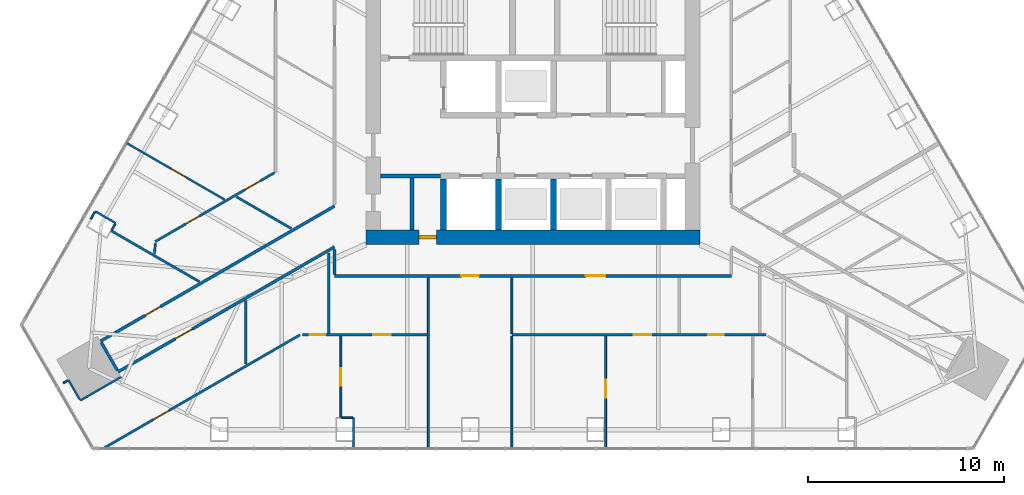
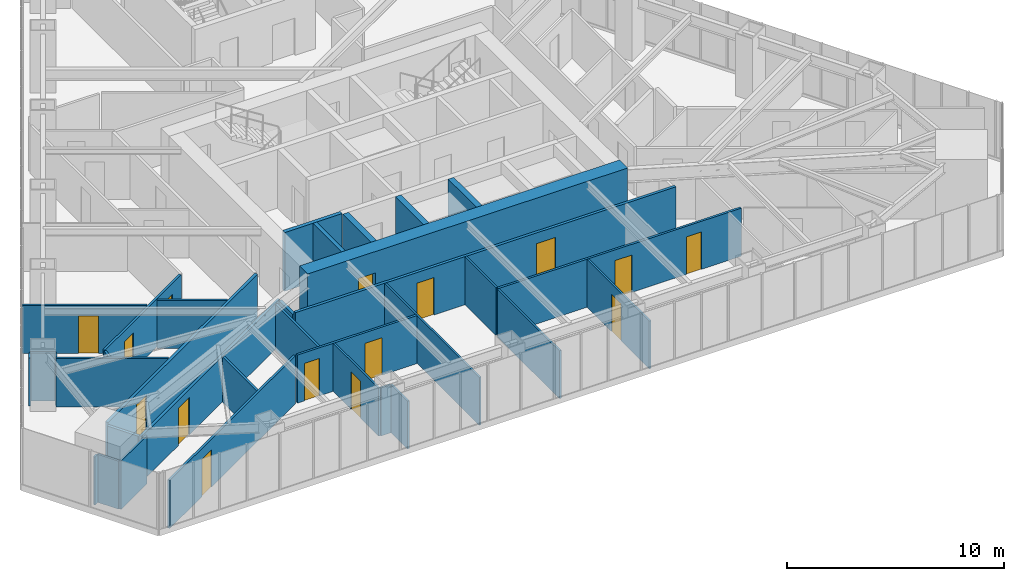
# One storey, part 16 of 21: 34 walls, 15 doors, 15 openings.
"""IFC4 building model written with IfcOpenShell, lengths in metres."""

import ifcopenshell
import ifcopenshell.guid

model = None  # the IFC model being written
_history = None  # IfcOwnerHistory: only IFC2X3 demands one
_inside = {}  # id of a spatial element -> (the spatial element, [elements in it])
_under = {}  # id of a project, library or spatial element -> (it, [spatial elements below it])
_declared = {}  # id of a project -> (the project, [libraries it declares])
_typed = {}  # id of a type object -> (the type object, [elements of that type])
_made_of = {}  # id of a material, layer set ... -> (it, [elements and type objects made of it])


def new_model(schema):
    """Start an empty IFC model of exactly this schema.

    Asked for "IFC4X3", IfcOpenShell would pick the latest addendum, in which some entities
    have other attributes; the version numbers below select the first issue.
    IFC2X3 requires an IfcOwnerHistory on every rooted entity: one is made here for all.
    """
    global model, _history
    if schema == "IFC4X3":
        model = ifcopenshell.file(schema_version=(4, 3, 0, 0))
    else:
        model = ifcopenshell.file(schema=schema)
    _inside.clear()
    _under.clear()
    _declared.clear()
    _typed.clear()
    _made_of.clear()
    _history = None
    if model.schema == "IFC2X3":
        org = make("IfcOrganization", Name="unknown")
        user = make(
            "IfcPersonAndOrganization",
            ThePerson=make("IfcPerson", FamilyName="unknown"),
            TheOrganization=org,
        )
        app = make(
            "IfcApplication",
            ApplicationDeveloper=org,
            Version="unknown",
            ApplicationFullName="unknown",
            ApplicationIdentifier="unknown",
        )
        _history = make(
            "IfcOwnerHistory",
            OwningUser=user,
            OwningApplication=app,
            ChangeAction="ADDED",
            CreationDate=0,
        )
    return model


def make(cls, **values):
    """One entity of the class cls with the attributes given. An attribute that is None is left unset."""
    return model.create_entity(
        cls, **{name: value for name, value in values.items() if value is not None}
    )


def rooted(cls, **values):
    """An entity with a GlobalId (a new one), such as an element, a storey or a relation."""
    return make(cls, GlobalId=ifcopenshell.guid.new(), OwnerHistory=_history, **values)


def si_unit(unit_type, name, prefix=None):
    """IfcSIUnit, for example si_unit("LENGTHUNIT", "METRE", prefix="MILLI")."""
    return make("IfcSIUnit", UnitType=unit_type, Prefix=prefix, Name=name)


def assignment(units):
    """IfcUnitAssignment: the units of a project."""
    return None if units is None else make("IfcUnitAssignment", Units=units)


def point(xyz):
    """IfcCartesianPoint."""
    return None if xyz is None else make("IfcCartesianPoint", Coordinates=xyz)


def direction(xyz):
    """IfcDirection."""
    return None if xyz is None else make("IfcDirection", DirectionRatios=xyz)


def frame(location, z_axis=None, x_axis=None):
    """IfcAxis2Placement3D, a coordinate frame: its origin and axes. An axis left out is left unset."""
    return make(
        "IfcAxis2Placement3D",
        Location=point(location),
        Axis=direction(z_axis),
        RefDirection=direction(x_axis),
    )


def frame_2d(location, x_axis=None):
    """IfcAxis2Placement2D, a coordinate frame in the plane: its origin and x axis."""
    return make(
        "IfcAxis2Placement2D", Location=point(location), RefDirection=direction(x_axis)
    )


def origin():
    """The frame at (0, 0, 0) with its axes left unset."""
    return frame((0.0, 0.0, 0.0))


def place(relative_to, where):
    """IfcLocalPlacement: puts the frame where relative to a parent placement (None: the world)."""
    return make(
        "IfcLocalPlacement", PlacementRelTo=relative_to, RelativePlacement=where
    )


def context(
    kind, dimensions, precision=None, world=None, true_north=None, identifier=None
):
    """IfcGeometricRepresentationContext, for example the 3D "Model" context."""
    return make(
        "IfcGeometricRepresentationContext",
        ContextIdentifier=identifier,
        ContextType=kind,
        CoordinateSpaceDimension=dimensions,
        Precision=precision,
        WorldCoordinateSystem=world,
        TrueNorth=true_north,
    )


def subcontext(parent, identifier, kind, view, scale=None):
    """IfcGeometricRepresentationSubContext, for example "Body" below "Model"."""
    return make(
        "IfcGeometricRepresentationSubContext",
        ContextIdentifier=identifier,
        ContextType=kind,
        ParentContext=parent,
        TargetScale=scale,
        TargetView=view,
    )


def project(units=None, contexts=None):
    """IfcProject with its units and contexts."""
    return rooted(
        "IfcProject",
        Name="project",
        RepresentationContexts=contexts,
        UnitsInContext=assignment(units),
    )


def spatial(cls, under=None, at=None, **own):
    """A site, building, storey or space (cls), placed at a placement, below another one or the project."""
    s = rooted(cls, ObjectPlacement=at, **own)
    if under is not None:
        _under.setdefault(under.id(), (under, []))[1].append(s)
    return s


def profile(cls, at=None, kind="AREA", **sizes):
    """A parametric profile (cls). Its sizes go by their IFC names, for example OverallWidth=200.0."""
    return make(cls, ProfileType=kind, Position=at, **sizes)


def rectangle(**sizes):
    """IfcRectangleProfileDef."""
    return profile("IfcRectangleProfileDef", **sizes)


def extrude(swept, where, along, depth):
    """IfcExtrudedAreaSolid: the profile swept, set in the frame where, extruded along a direction by depth."""
    return make(
        "IfcExtrudedAreaSolid",
        SweptArea=swept,
        Position=where,
        ExtrudedDirection=direction(along),
        Depth=depth,
    )


def shape(context_of_items, identifier, shape_type, items):
    """IfcShapeRepresentation: the items that make up one representation, for example the "Body"."""
    return make(
        "IfcShapeRepresentation",
        ContextOfItems=context_of_items,
        RepresentationIdentifier=identifier,
        RepresentationType=shape_type,
        Items=items,
    )


def material(Name=None, Category=None):
    """IfcMaterial."""
    return make("IfcMaterial", Name=Name, Category=Category)


def layer(
    of_material, thickness, ventilated=None, Name=None, Category=None, Priority=None
):
    """IfcMaterialLayer: one layer of a wall or slab, of a material (None: an air gap)."""
    return make(
        "IfcMaterialLayer",
        Material=of_material,
        LayerThickness=thickness,
        IsVentilated=ventilated,
        Name=Name,
        Category=Category,
        Priority=Priority,
    )


def layer_set(layers, Name=None):
    """IfcMaterialLayerSet."""
    return make("IfcMaterialLayerSet", MaterialLayers=layers, LayerSetName=Name)


def made_of(thing, what):
    """Note that an element or type object is made of a material, layer set ...; save() writes the relation."""
    if what is not None:
        _made_of.setdefault(what.id(), (what, []))[1].append(thing)
    return thing


def type_object(cls, material=None, **own):
    """A type object (cls), such as IfcWallType, which elements share."""
    return made_of(rooted(cls, **own), material)


def element(
    cls,
    number,
    at=None,
    inside=None,
    cuts=None,
    type_object=None,
    material=None,
    context=None,
    identifier="Body",
    shape_type=None,
    held_by="IfcProductDefinitionShape",
    body=None,
    shapes=None,
    **own,
):
    """One element of the class cls, such as IfcWall. Its Tag is "e" and its number.

    at: its placement. inside: the storey or other place that contains it. cuts: it is an
    opening in that element (IfcRelVoidsElement). A single representation is given by context,
    identifier, shape_type and body (its items); several are given by shapes. held_by: the class
    of the entity that holds the representations. save() writes the other relations.
    """
    e = rooted(cls, Tag="e%d" % number, ObjectPlacement=at, **own)
    if body is not None:
        shapes = [shape(context, identifier, shape_type, body)]
    if shapes is not None:
        e.Representation = make(held_by, Representations=shapes)
    if inside is not None:
        _inside.setdefault(inside.id(), (inside, []))[1].append(e)
    if cuts is not None:
        rooted(
            "IfcRelVoidsElement", RelatingBuildingElement=cuts, RelatedOpeningElement=e
        )
    if type_object is not None:
        _typed.setdefault(type_object.id(), (type_object, []))[1].append(e)
    return made_of(e, material)


def fill(opening, filler):
    """IfcRelFillsElement: the door or window that sits in an opening."""
    return rooted(
        "IfcRelFillsElement",
        RelatingOpeningElement=opening,
        RelatedBuildingElement=filler,
    )


def aggregate(whole, parts):
    """IfcRelAggregates: a whole, such as a stair, and the parts it consists of."""
    return rooted("IfcRelAggregates", RelatingObject=whole, RelatedObjects=parts)


def save(model, path):
    """Write the relations noted so far, then the file.

    IfcRelAggregates (storeys below a building ...), IfcRelContainedInSpatialStructure (elements
    in a storey), IfcRelDefinesByType, IfcRelAssociatesMaterial and IfcRelDeclares: one each for
    every whole, place, type object, material and project.
    """
    for whole, parts in _under.values():
        aggregate(whole, parts)
    for where, things in _inside.values():
        rooted(
            "IfcRelContainedInSpatialStructure",
            RelatedElements=things,
            RelatingStructure=where,
        )
    for kind, things in _typed.values():
        rooted("IfcRelDefinesByType", RelatedObjects=things, RelatingType=kind)
    for what, things in _made_of.values():
        rooted("IfcRelAssociatesMaterial", RelatedObjects=things, RelatingMaterial=what)
    for by, libraries in _declared.values():
        rooted("IfcRelDeclares", RelatingContext=by, RelatedDefinitions=libraries)
    model.write(path)


model = new_model("IFC4")

# Units and contexts
model_context = context("Model", 3, precision=1e-05, world=origin(), true_north=direction((0.0, 1.0)))
body_context = subcontext(model_context, "Body", "Model", "MODEL_VIEW")
ifc_project = project(units=[si_unit("LENGTHUNIT", "METRE"), si_unit("AREAUNIT", "SQUARE_METRE"), si_unit("VOLUMEUNIT", "CUBIC_METRE"), si_unit("PLANEANGLEUNIT", "RADIAN"), si_unit("MASSUNIT", "GRAM", prefix="KILO")], contexts=[model_context])

# Site, building, storey
site_placement = place(None, origin())
site = spatial("IfcSite", under=ifc_project, at=site_placement, CompositionType="ELEMENT")
building_placement = place(site_placement, origin())
building = spatial("IfcBuilding", under=site, at=building_placement, Name="Firuza Gate Tower and Library", CompositionType="ELEMENT")
storey_placement = place(building_placement, frame((0.0, 0.0, 284.60009765625)))
storey = spatial("IfcBuildingStorey", under=building, at=storey_placement, Name="L68", CompositionType="ELEMENT", Elevation=284.60009765625)

# Walls
ifc_material_1 = material(Name="Plasterboard on steel studs", Category="steel")
ifc_layer_1 = layer(ifc_material_1, 0.199951171875)
ifc_layer_set_1 = layer_set([ifc_layer_1], Name="Core partition 200 EI 120")
wall_type_1 = type_object("IfcWallType", Name="Core partition 200 EI 120", PredefinedType="PARTITIONING", material=ifc_layer_set_1)
wall_1_placement = place(storey_placement, frame((67.25, 71.75, 0.0), z_axis=(0.0, 0.0, 1.0), x_axis=(1.0, 0.0, 0.0)))
element("IfcWall", 1, at=wall_1_placement, inside=storey, type_object=wall_type_1, Name="Core partition L68 1", PredefinedType="PARTITIONING", context=body_context, shape_type="SweptSolid", body=[
    extrude(rectangle(XDim=3.050048828125, YDim=0.199951171875, at=frame_2d((1.52490234375, 0.0))), origin(), (0.0, 0.0, 1.0), 3.2998046875),
])
wall_2_placement = place(storey_placement, frame((68.85009765625, 69.0, 0.0), z_axis=(0.0, 0.0, 1.0), x_axis=(0.0, 1.0, 0.0)))
element("IfcWall", 2, at=wall_2_placement, inside=storey, type_object=wall_type_1, Name="Core partition L68 4", PredefinedType="PARTITIONING", context=body_context, shape_type="SweptSolid", body=[
    extrude(rectangle(XDim=2.64990234375, YDim=0.199951171875, at=frame_2d((1.324951171875, 0.0))), origin(), (0.0, 0.0, 1.0), 3.2998046875),
])
ifc_material_2 = material(Name="Concrete C60/75", Category="concrete")
ifc_layer_2 = layer(ifc_material_2, 0.300048828125)
ifc_layer_set_2 = layer_set([ifc_layer_2], Name="Core wall 300 C60/75")
wall_type_2 = type_object("IfcWallType", Name="Core wall 300 C60/75", PredefinedType="SHEAR", material=ifc_layer_set_2)
for number, where, z_axis, x_axis, name in (
    (3, (70.449951171875, 69.0, 0.0), (0.0, 0.0, 1.0), (0.0, 1.0, 0.0), "Core wall L68 7"),
    (4, (73.25, 69.0, 0.0), (0.0, 0.0, 1.0), (0.0, 1.0, 0.0), "Core wall L68 9"),
    (5, (76.050048828125, 69.0, 0.0), (0.0, 0.0, 1.0), (0.0, 1.0, 0.0), "Core wall L68 11"),
):
    element("IfcWall", number, at=place(storey_placement, frame(where, z_axis=z_axis, x_axis=x_axis)), inside=storey, type_object=wall_type_2, Name=name, PredefinedType="SHEAR", context=body_context, shape_type="SweptSolid", body=[
        extrude(rectangle(XDim=2.60009765625, YDim=0.300048828125, at=frame_2d((1.300048828125, 0.0))), origin(), (0.0, 0.0, 1.0), 3.2998046875),
    ])

# Wall, opening, door
ifc_material_3 = material(Name="Concrete C60/75", Category="concrete")
ifc_layer_3 = layer(ifc_material_3, 0.75)
ifc_layer_set_3 = layer_set([ifc_layer_3], Name="Core wall 750 C60/75")
wall_type_3 = type_object("IfcWallType", Name="Core wall 750 C60/75", PredefinedType="SHEAR", material=ifc_layer_set_3)
wall_3_placement = place(storey_placement, frame((66.5, 68.625, 0.0), z_axis=(0.0, 0.0, 1.0), x_axis=(1.0, 0.0, 0.0)))
wall_3 = element("IfcWall", 6, at=wall_3_placement, inside=storey, type_object=wall_type_3, Name="Core wall L68 1", PredefinedType="SHEAR", context=body_context, shape_type="SweptSolid", body=[
    extrude(rectangle(XDim=17.0, YDim=0.75, at=frame_2d((8.5, 0.0))), origin(), (0.0, 0.0, 1.0), 3.2998046875),
])
opening_1_placement = place(wall_3_placement, frame((2.699951171875, 0.0, 0.0)))
opening_1 = element("IfcOpeningElement", 7, at=opening_1_placement, cuts=wall_3, Name="Opening L68-K18", PredefinedType="OPENING", context=body_context, shape_type="SweptSolid", body=[
    extrude(rectangle(XDim=0.89990234375, YDim=2.10009765625, at=frame_2d((0.449951171875, 1.050048828125))), frame((0.0, 0.385009765625, 0.0), z_axis=(0.0, -1.0, 0.0), x_axis=(1.0, 0.0, 0.0)), (0.0, 0.0, 1.0), 0.77001953125),
])
ifc_material_4 = material(Name="Steel", Category="steel")
door_type_1 = type_object("IfcDoorType", Name="Fire door 900x2100 FD30S", OperationType="NOTDEFINED", PredefinedType="DOOR", material=ifc_material_4)
door_1_placement = place(opening_1_placement, origin())
door_1 = element("IfcDoor", 8, at=door_1_placement, inside=storey, type_object=door_type_1, Name="Door L68-K18", OperationType="SINGLE_SWING_LEFT", OverallHeight=2.10009765625, OverallWidth=0.89990234375, PredefinedType="DOOR", context=body_context, shape_type="SweptSolid", body=[
    extrude(rectangle(XDim=0.89990234375, YDim=2.10009765625, at=frame_2d((0.449951171875, 1.050048828125))), frame((0.0, 0.094970703125, 0.0), z_axis=(0.0, -1.0, 0.0), x_axis=(1.0, 0.0, 0.0)), (0.0, 0.0, 1.0), 0.18994140625),
])
fill(opening_1, door_1)

# Wall, openings, doors
ifc_material_5 = material(Name="Gypsum board partition")
ifc_layer_4 = layer(ifc_material_5, 0.14990234375)
ifc_layer_set_4 = layer_set([ifc_layer_4], Name="Corridor wall 150 double board on steel studs")
wall_type_4 = type_object("IfcWallType", Name="Corridor wall 150 double board on steel studs", PredefinedType="PARTITIONING", material=ifc_layer_set_4)
wall_4_placement = place(storey_placement, frame((85.10009765625, 66.64990234375, 0.0), z_axis=(0.0, 0.0, 1.0), x_axis=(-1.0, 0.0, 0.0)))
wall_4 = element("IfcWall", 9, at=wall_4_placement, inside=storey, type_object=wall_type_4, Name="f:L68:w004", PredefinedType="PARTITIONING", context=body_context, shape_type="SweptSolid", body=[
    extrude(rectangle(XDim=20.2001953125, YDim=0.14990234375, at=frame_2d((10.10009765625, 0.0))), origin(), (0.0, 0.0, 1.0), 2.699951171875),
])
opening_2_placement = place(wall_4_placement, frame((6.4052734375, 0.0, 0.0)))
opening_2 = element("IfcOpeningElement", 10, at=opening_2_placement, cuts=wall_4, Name="Opening L68-05", PredefinedType="OPENING", context=body_context, shape_type="SweptSolid", body=[
    extrude(rectangle(XDim=1.0, YDim=2.10009765625, at=frame_2d((0.5, 1.050048828125))), frame((0.0, 0.0849609375, 0.0), z_axis=(0.0, -1.0, 0.0), x_axis=(1.0, 0.0, 0.0)), (0.0, 0.0, 1.0), 0.169921875),
])
opening_3_placement = place(wall_4_placement, frame((12.8447265625, 0.0, 0.0)))
opening_3 = element("IfcOpeningElement", 11, at=opening_3_placement, cuts=wall_4, Name="Opening L68-06", PredefinedType="OPENING", context=body_context, shape_type="SweptSolid", body=[
    extrude(rectangle(XDim=0.89990234375, YDim=2.10009765625, at=frame_2d((0.449951171875, 1.050048828125))), frame((0.0, 0.0849609375, 0.0), z_axis=(0.0, -1.0, 0.0), x_axis=(1.0, 0.0, 0.0)), (0.0, 0.0, 1.0), 0.169921875),
])
ifc_material_6 = material(Name="Steel door and timber leaf", Category="steel")
door_type_2 = type_object("IfcDoorType", Name="Fire door 1000 x 2100 steel frame, timber leaf", OperationType="NOTDEFINED", PredefinedType="DOOR", material=ifc_material_6)
door_2_placement = place(opening_2_placement, origin())
door_2 = element("IfcDoor", 12, at=door_2_placement, inside=storey, type_object=door_type_2, Name="f:L68:d005", OperationType="SINGLE_SWING_RIGHT", OverallHeight=2.10009765625, OverallWidth=1.0, PredefinedType="DOOR", context=body_context, shape_type="SweptSolid", body=[
    extrude(rectangle(XDim=1.0, YDim=2.10009765625, at=frame_2d((0.5, 1.050048828125))), frame((0.0, 0.02490234375, 0.0), z_axis=(0.0, -1.0, 0.0), x_axis=(1.0, 0.0, 0.0)), (0.0, 0.0, 1.0), 0.050048828125),
])
fill(opening_2, door_2)
ifc_material_7 = material(Name="Steel door and timber leaf", Category="steel")
door_type_3 = type_object("IfcDoorType", Name="Fire door 900 x 2100 steel frame, timber leaf", OperationType="NOTDEFINED", PredefinedType="DOOR", material=ifc_material_7)
door_3_placement = place(opening_3_placement, origin())
door_3 = element("IfcDoor", 13, at=door_3_placement, inside=storey, type_object=door_type_3, Name="f:L68:d006", OperationType="SINGLE_SWING_LEFT", OverallHeight=2.10009765625, OverallWidth=0.89990234375, PredefinedType="DOOR", context=body_context, shape_type="SweptSolid", body=[
    extrude(rectangle(XDim=0.89990234375, YDim=2.10009765625, at=frame_2d((0.449951171875, 1.050048828125))), frame((0.0, 0.02490234375, 0.0), z_axis=(0.0, -1.0, 0.0), x_axis=(1.0, 0.0, 0.0)), (0.0, 0.0, 1.0), 0.050048828125),
])
fill(opening_3, door_3)

# Wall, opening, door
wall_5_placement = place(storey_placement, frame((64.89990234375, 68.129638671875, 0.0), z_axis=(0.0, 0.0, 1.0), x_axis=(-0.866023199005, -0.500003818771, 0.0)))
wall_5 = element("IfcWall", 14, at=wall_5_placement, inside=storey, type_object=wall_type_4, Name="f:L68:w024", PredefinedType="PARTITIONING", context=body_context, shape_type="SweptSolid", body=[
    extrude(rectangle(XDim=12.71875, YDim=0.14990234375, at=frame_2d((6.359375, 0.0))), origin(), (0.0, 0.0, 1.0), 2.546875),
])
opening_4_placement = place(wall_5_placement, frame((8.36376953125, 0.0, 0.0)))
opening_4 = element("IfcOpeningElement", 15, at=opening_4_placement, cuts=wall_5, Name="Opening L68-12", PredefinedType="OPENING", context=body_context, shape_type="SweptSolid", body=[
    extrude(rectangle(XDim=1.0, YDim=2.10009765625, at=frame_2d((0.5, 1.050048828125))), frame((0.0, 0.0849609375, 0.0), z_axis=(0.0, -1.0, 0.0), x_axis=(1.0, 0.0, 0.0)), (0.0, 0.0, 1.0), 0.169921875),
])
door_4_placement = place(opening_4_placement, origin())
door_4 = element("IfcDoor", 16, at=door_4_placement, inside=storey, type_object=door_type_2, Name="f:L68:d012", OperationType="SINGLE_SWING_LEFT", OverallHeight=2.10009765625, OverallWidth=1.0, PredefinedType="DOOR", context=body_context, shape_type="SweptSolid", body=[
    extrude(rectangle(XDim=1.0, YDim=2.10009765625, at=frame_2d((0.5, 1.050048828125))), frame((0.0, 0.02490234375, 0.0), z_axis=(0.0, -1.0, 0.0), x_axis=(1.0, 0.0, 0.0)), (0.0, 0.0, 1.0), 0.050048828125),
])
fill(opening_4, door_4)

wall_6_placement = place(storey_placement, frame((52.98583984375, 63.3291015625, 0.0), z_axis=(0.0, 0.0, 1.0), x_axis=(0.866027482275, 0.499996399932, 0.0)))
wall_6 = element("IfcWall", 17, at=wall_6_placement, inside=storey, type_object=wall_type_4, Name="f:L68:w026", PredefinedType="PARTITIONING", context=body_context, shape_type="SweptSolid", body=[
    extrude(rectangle(XDim=13.75732421875, YDim=0.14990234375, at=frame_2d((6.878662109375, 0.0))), origin(), (0.0, 0.0, 1.0), 2.699951171875),
])
opening_5_placement = place(wall_6_placement, frame((2.61962890625, 0.0, 0.0)))
opening_5 = element("IfcOpeningElement", 18, at=opening_5_placement, cuts=wall_6, Name="Opening L68-13", PredefinedType="OPENING", context=body_context, shape_type="SweptSolid", body=[
    extrude(rectangle(XDim=0.89990234375, YDim=2.10009765625, at=frame_2d((0.449951171875, 1.050048828125))), frame((0.0, 0.0849609375, 0.0), z_axis=(0.0, -1.0, 0.0), x_axis=(1.0, 0.0, 0.0)), (0.0, 0.0, 1.0), 0.169921875),
])
door_5_placement = place(opening_5_placement, origin())
door_5 = element("IfcDoor", 19, at=door_5_placement, inside=storey, type_object=door_type_3, Name="f:L68:d013", OperationType="SINGLE_SWING_LEFT", OverallHeight=2.10009765625, OverallWidth=0.89990234375, PredefinedType="DOOR", context=body_context, shape_type="SweptSolid", body=[
    extrude(rectangle(XDim=0.89990234375, YDim=2.10009765625, at=frame_2d((0.449951171875, 1.050048828125))), frame((0.0, 0.02490234375, 0.0), z_axis=(0.0, -1.0, 0.0), x_axis=(1.0, 0.0, 0.0)), (0.0, 0.0, 1.0), 0.050048828125),
])
fill(opening_5, door_5)

# Walls
wall_7_placement = place(storey_placement, frame((64.89990234375, 66.72509765625, 0.0), z_axis=(0.0, 0.0, 1.0), x_axis=(0.0, 1.0, 0.0)))
element("IfcWall", 20, at=wall_7_placement, inside=storey, type_object=wall_type_4, Name="f:L68:w057", PredefinedType="PARTITIONING", context=body_context, shape_type="SweptSolid", body=[
    extrude(rectangle(XDim=1.267822265625, YDim=0.14990234375, at=frame_2d((0.6337890625, 0.0))), origin(), (0.0, 0.0, 1.0), 2.546875),
])
wall_8_placement = place(storey_placement, frame((53.844970703125, 61.83984375, 0.0), z_axis=(0.0, 0.0, 1.0), x_axis=(-0.499988108725, 0.866032269107, 0.0)))
element("IfcWall", 21, at=wall_8_placement, inside=storey, type_object=wall_type_4, Name="f:L68:w062", PredefinedType="PARTITIONING", context=body_context, shape_type="SweptSolid", body=[
    extrude(rectangle(XDim=1.64404296875, YDim=0.14990234375, at=frame_2d((0.822021484375, 0.0))), origin(), (0.0, 0.0, 1.0), 2.546875),
])
ifc_material_8 = material(Name="Gypsum board partition")
ifc_layer_5 = layer(ifc_material_8, 0.10009765625)
ifc_layer_set_5 = layer_set([ifc_layer_5], Name="Partition 100 gypsum board on steel studs")
wall_type_5 = type_object("IfcWallType", Name="Partition 100 gypsum board on steel studs", PredefinedType="PARTITIONING", material=ifc_layer_set_5)
wall_9_placement = place(storey_placement, frame((65.268310546875, 59.431884765625, 0.0), z_axis=(0.0, 0.0, 1.0), x_axis=(1.0, 0.0, 0.0)))
element("IfcWall", 22, at=wall_9_placement, inside=storey, type_object=wall_type_5, Name="f:L68:w000", PredefinedType="PARTITIONING", context=body_context, shape_type="SweptSolid", body=[
    extrude(rectangle(XDim=0.547607421875, YDim=0.10009765625, at=frame_2d((0.27392578125, 0.0))), origin(), (0.0, 0.0, 1.0), 2.699951171875),
])
wall_10_placement = place(storey_placement, frame((51.957275390625, 60.310791015625, 0.0), z_axis=(0.0, 0.0, 1.0), x_axis=(0.866036455013, 0.499980858223, 0.0)))
element("IfcWall", 23, at=wall_10_placement, inside=storey, type_object=wall_type_5, Name="f:L68:w022", PredefinedType="PARTITIONING", context=body_context, shape_type="SweptSolid", body=[
    extrude(rectangle(XDim=2.39892578125, YDim=0.10009765625, at=frame_2d((1.199462890625, 0.0))), origin(), (0.0, 0.0, 1.0), 2.699951171875),
])
wall_11_placement = place(storey_placement, frame((51.09716796875, 61.19970703125, 0.0), z_axis=(0.0, 0.0, 1.0), x_axis=(0.866006330792, 0.500033033937, 0.0)))
element("IfcWall", 24, at=wall_11_placement, inside=storey, type_object=wall_type_5, Name="f:L68:w025", PredefinedType="PARTITIONING", context=body_context, shape_type="SweptSolid", body=[
    extrude(rectangle(XDim=0.24951171875, YDim=0.10009765625, at=frame_2d((0.124755859375, 0.0))), origin(), (0.0, 0.0, 1.0), 2.699951171875),
])
wall_12_placement = place(storey_placement, frame((53.561279296875, 69.0029296875, 0.0), z_axis=(0.0, 0.0, 1.0), x_axis=(0.500241622161, 0.865885858216, 0.0)))
element("IfcWall", 25, at=wall_12_placement, inside=storey, type_object=wall_type_5, Name="f:L68:w030", PredefinedType="PARTITIONING", context=body_context, shape_type="SweptSolid", body=[
    extrude(rectangle(XDim=0.339111328125, YDim=0.10009765625, at=frame_2d((0.16943359375, 0.0))), origin(), (0.0, 0.0, 1.0), 2.699951171875),
])
wall_13_placement = place(storey_placement, frame((52.491455078125, 69.551025390625, 0.0), z_axis=(0.0, 0.0, 1.0), x_axis=(0.499951716245, 0.866053278629, 0.0)))
element("IfcWall", 26, at=wall_13_placement, inside=storey, type_object=wall_type_5, Name="f:L68:w032", PredefinedType="PARTITIONING", context=body_context, shape_type="SweptSolid", body=[
    extrude(rectangle(XDim=0.3994140625, YDim=0.10009765625, at=frame_2d((0.19970703125, 0.0))), origin(), (0.0, 0.0, 1.0), 2.699951171875),
])

# Wall, opening, door
wall_14_placement = place(storey_placement, frame((78.7060546875, 57.8720703125, 0.0), z_axis=(0.0, 0.0, 1.0), x_axis=(0.0, 1.0, 0.0)))
wall_14 = element("IfcWall", 27, at=wall_14_placement, inside=storey, type_object=wall_type_5, Name="f:L68:w045", PredefinedType="PARTITIONING", context=body_context, shape_type="SweptSolid", body=[
    extrude(rectangle(XDim=5.718017578125, YDim=0.10009765625, at=frame_2d((2.85888671875, 0.0))), origin(), (0.0, 0.0, 1.0), 2.68798828125),
])
opening_6_placement = place(wall_14_placement, frame((2.589111328125, 0.0, 0.0)))
opening_6 = element("IfcOpeningElement", 28, at=opening_6_placement, cuts=wall_14, Name="Opening L68-20", PredefinedType="OPENING", context=body_context, shape_type="SweptSolid", body=[
    extrude(rectangle(XDim=0.89990234375, YDim=2.10009765625, at=frame_2d((0.449951171875, 1.050048828125))), frame((0.0, 0.06005859375, 0.0), z_axis=(0.0, -1.0, 0.0), x_axis=(1.0, 0.0, 0.0)), (0.0, 0.0, 1.0), 0.1201171875),
])
ifc_material_9 = material(Name="Timber door", Category="wood")
door_type_4 = type_object("IfcDoorType", Name="Door 900 x 2100 timber leaf", OperationType="NOTDEFINED", PredefinedType="DOOR", material=ifc_material_9)
door_6_placement = place(opening_6_placement, origin())
door_6 = element("IfcDoor", 29, at=door_6_placement, inside=storey, type_object=door_type_4, Name="f:L68:d020", OperationType="SINGLE_SWING_LEFT", OverallHeight=2.10009765625, OverallWidth=0.89990234375, PredefinedType="DOOR", context=body_context, shape_type="SweptSolid", body=[
    extrude(rectangle(XDim=0.89990234375, YDim=2.10009765625, at=frame_2d((0.449951171875, 1.050048828125))), frame((0.0, 0.02490234375, 0.0), z_axis=(0.0, -1.0, 0.0), x_axis=(1.0, 0.0, 0.0)), (0.0, 0.0, 1.0), 0.050048828125),
])
fill(opening_6, door_6)

# Walls
wall_15_placement = place(storey_placement, frame((73.93505859375, 57.8720703125, 0.0), z_axis=(0.0, 0.0, 1.0), x_axis=(0.0, 1.0, 0.0)))
element("IfcWall", 30, at=wall_15_placement, inside=storey, type_object=wall_type_5, Name="f:L68:w051", PredefinedType="PARTITIONING", context=body_context, shape_type="SweptSolid", body=[
    extrude(rectangle(XDim=5.718017578125, YDim=0.10009765625, at=frame_2d((2.85888671875, 0.0))), origin(), (0.0, 0.0, 1.0), 2.68798828125),
])
wall_16_placement = place(storey_placement, frame((69.676025390625, 57.8720703125, 0.0), z_axis=(0.0, 0.0, 1.0), x_axis=(0.0, 1.0, 0.0)))
element("IfcWall", 31, at=wall_16_placement, inside=storey, type_object=wall_type_5, Name="f:L68:w054", PredefinedType="PARTITIONING", context=body_context, shape_type="SweptSolid", body=[
    extrude(rectangle(XDim=8.702880859375, YDim=0.10009765625, at=frame_2d((4.3515625, 0.0))), origin(), (0.0, 0.0, 1.0), 2.68798828125),
])
wall_17_placement = place(storey_placement, frame((65.865966796875, 57.8720703125, 0.0), z_axis=(0.0, 0.0, 1.0), x_axis=(0.0, 1.0, 0.0)))
element("IfcWall", 32, at=wall_17_placement, inside=storey, type_object=wall_type_5, Name="f:L68:w055", PredefinedType="PARTITIONING", context=body_context, shape_type="SweptSolid", body=[
    extrude(rectangle(XDim=1.559814453125, YDim=0.10009765625, at=frame_2d((0.77978515625, 0.0))), origin(), (0.0, 0.0, 1.0), 2.68798828125),
])

# Wall, opening, door
wall_18_placement = place(storey_placement, frame((65.218017578125, 63.590087890625, 0.0), z_axis=(0.0, 0.0, 1.0), x_axis=(0.0, -1.0, 0.0)))
wall_18 = element("IfcWall", 33, at=wall_18_placement, inside=storey, type_object=wall_type_5, Name="f:L68:w056", PredefinedType="PARTITIONING", context=body_context, shape_type="SweptSolid", body=[
    extrude(rectangle(XDim=4.158203125, YDim=0.10009765625, at=frame_2d((2.0791015625, 0.0))), origin(), (0.0, 0.0, 1.0), 2.699951171875),
])
opening_7_placement = place(wall_18_placement, frame((1.62890625, 0.0, 0.0)))
opening_7 = element("IfcOpeningElement", 34, at=opening_7_placement, cuts=wall_18, Name="Opening L68-21", PredefinedType="OPENING", context=body_context, shape_type="SweptSolid", body=[
    extrude(rectangle(XDim=0.89990234375, YDim=2.10009765625, at=frame_2d((0.449951171875, 1.050048828125))), frame((0.0, 0.06005859375, 0.0), z_axis=(0.0, -1.0, 0.0), x_axis=(1.0, 0.0, 0.0)), (0.0, 0.0, 1.0), 0.1201171875),
])
door_7_placement = place(opening_7_placement, origin())
door_7 = element("IfcDoor", 35, at=door_7_placement, inside=storey, type_object=door_type_4, Name="f:L68:d021", OperationType="SINGLE_SWING_RIGHT", OverallHeight=2.10009765625, OverallWidth=0.89990234375, PredefinedType="DOOR", context=body_context, shape_type="SweptSolid", body=[
    extrude(rectangle(XDim=0.89990234375, YDim=2.10009765625, at=frame_2d((0.449951171875, 1.050048828125))), frame((0.0, 0.02490234375, 0.0), z_axis=(0.0, -1.0, 0.0), x_axis=(1.0, 0.0, 0.0)), (0.0, 0.0, 1.0), 0.050048828125),
])
fill(opening_7, door_7)

# Wall
wall_19_placement = place(storey_placement, frame((51.931396484375, 60.35400390625, 0.0), z_axis=(0.0, 0.0, 1.0), x_axis=(-0.499955427682, 0.866051136095, 0.0)))
element("IfcWall", 36, at=wall_19_placement, inside=storey, type_object=wall_type_5, Name="f:L68:w063", PredefinedType="PARTITIONING", context=body_context, shape_type="SweptSolid", body=[
    extrude(rectangle(XDim=1.14892578125, YDim=0.10009765625, at=frame_2d((0.574462890625, 0.0))), origin(), (0.0, 0.0, 1.0), 2.699951171875),
])

# Wall, opening, door
wall_20_placement = place(storey_placement, frame((59.30126953125, 70.538818359375, 0.0), z_axis=(0.0, 0.0, 1.0), x_axis=(-0.866021213215, 0.500007258209, 0.0)))
wall_20 = element("IfcWall", 37, at=wall_20_placement, inside=storey, type_object=wall_type_5, Name="f:L68:w078", PredefinedType="PARTITIONING", context=body_context, shape_type="SweptSolid", body=[
    extrude(rectangle(XDim=5.76318359375, YDim=0.10009765625, at=frame_2d((2.881591796875, 0.0))), origin(), (0.0, 0.0, 1.0), 2.699951171875),
])
opening_8_placement = place(wall_20_placement, frame((2.251708984375, 0.0, 0.0)))
opening_8 = element("IfcOpeningElement", 38, at=opening_8_placement, cuts=wall_20, Name="Opening L68-33", PredefinedType="OPENING", context=body_context, shape_type="SweptSolid", body=[
    extrude(rectangle(XDim=0.89990234375, YDim=2.10009765625, at=frame_2d((0.449951171875, 1.050048828125))), frame((0.0, 0.06005859375, 0.0), z_axis=(0.0, -1.0, 0.0), x_axis=(1.0, 0.0, 0.0)), (0.0, 0.0, 1.0), 0.1201171875),
])
door_8_placement = place(opening_8_placement, origin())
door_8 = element("IfcDoor", 39, at=door_8_placement, inside=storey, type_object=door_type_4, Name="f:L68:d033", OperationType="SINGLE_SWING_LEFT", OverallHeight=2.10009765625, OverallWidth=0.89990234375, PredefinedType="DOOR", context=body_context, shape_type="SweptSolid", body=[
    extrude(rectangle(XDim=0.89990234375, YDim=2.10009765625, at=frame_2d((0.449951171875, 1.050048828125))), frame((0.0, 0.02490234375, 0.0), z_axis=(0.0, -1.0, 0.0), x_axis=(1.0, 0.0, 0.0)), (0.0, 0.0, 1.0), 0.050048828125),
])
fill(opening_8, door_8)

# Walls
wall_21_placement = place(storey_placement, frame((53.755859375, 69.341064453125, 0.0), z_axis=(0.0, 0.0, 1.0), x_axis=(-0.866066905393, 0.499928110214, 0.0)))
element("IfcWall", 40, at=wall_21_placement, inside=storey, type_object=wall_type_5, Name="f:L68:w079", PredefinedType="PARTITIONING", context=body_context, shape_type="SweptSolid", body=[
    extrude(rectangle(XDim=1.198974609375, YDim=0.10009765625, at=frame_2d((0.599609375, 0.0))), origin(), (0.0, 0.0, 1.0), 2.699951171875),
])
wall_22_placement = place(storey_placement, frame((73.93505859375, 63.7099609375, 0.0), z_axis=(0.0, 0.0, 1.0), x_axis=(0.0, 1.0, 0.0)))
element("IfcWall", 41, at=wall_22_placement, inside=storey, type_object=wall_type_5, Name="f:L68:w081", PredefinedType="PARTITIONING", context=body_context, shape_type="SweptSolid", body=[
    extrude(rectangle(XDim=2.864990234375, YDim=0.10009765625, at=frame_2d((1.4326171875, 0.0))), origin(), (0.0, 0.0, 1.0), 2.699951171875),
])

# Wall, openings, doors
ifc_material_10 = material(Name="Gypsum board partition")
ifc_layer_6 = layer(ifc_material_10, 0.1201171875)
ifc_layer_set_6 = layer_set([ifc_layer_6], Name="Wet-area partition 120 moisture-resistant board")
wall_type_6 = type_object("IfcWallType", Name="Wet-area partition 120 moisture-resistant board", PredefinedType="PARTITIONING", material=ifc_layer_set_6)
wall_23_placement = place(storey_placement, frame((63.26123046875, 63.64990234375, 0.0), z_axis=(0.0, 0.0, 1.0), x_axis=(1.0, 0.0, 0.0)))
wall_23 = element("IfcWall", 42, at=wall_23_placement, inside=storey, type_object=wall_type_6, Name="f:L68:w002", PredefinedType="PARTITIONING", context=body_context, shape_type="SweptSolid", body=[
    extrude(rectangle(XDim=6.3642578125, YDim=0.1201171875, at=frame_2d((3.18212890625, 0.0))), origin(), (0.0, 0.0, 1.0), 2.699951171875),
])
opening_9_placement = place(wall_23_placement, frame((0.369873046875, 0.0, 0.0)))
opening_9 = element("IfcOpeningElement", 43, at=opening_9_placement, cuts=wall_23, Name="Opening L68-01", PredefinedType="OPENING", context=body_context, shape_type="SweptSolid", body=[
    extrude(rectangle(XDim=0.800048828125, YDim=2.10009765625, at=frame_2d((0.39990234375, 1.050048828125))), frame((0.0, 0.070068359375, 0.0), z_axis=(0.0, -1.0, 0.0), x_axis=(1.0, 0.0, 0.0)), (0.0, 0.0, 1.0), 0.14013671875),
])
opening_10_placement = place(wall_23_placement, frame((3.609130859375, 0.0, 0.0)))
opening_10 = element("IfcOpeningElement", 44, at=opening_10_placement, cuts=wall_23, Name="Opening L68-02", PredefinedType="OPENING", context=body_context, shape_type="SweptSolid", body=[
    extrude(rectangle(XDim=0.89990234375, YDim=2.10009765625, at=frame_2d((0.449951171875, 1.050048828125))), frame((0.0, 0.070068359375, 0.0), z_axis=(0.0, -1.0, 0.0), x_axis=(1.0, 0.0, 0.0)), (0.0, 0.0, 1.0), 0.14013671875),
])
ifc_material_11 = material(Name="Timber door", Category="wood")
door_type_5 = type_object("IfcDoorType", Name="Door 800 x 2100 timber leaf", OperationType="NOTDEFINED", PredefinedType="DOOR", material=ifc_material_11)
door_9_placement = place(opening_9_placement, origin())
door_9 = element("IfcDoor", 45, at=door_9_placement, inside=storey, type_object=door_type_5, Name="f:L68:d001", OperationType="SINGLE_SWING_RIGHT", OverallHeight=2.10009765625, OverallWidth=0.800048828125, PredefinedType="DOOR", context=body_context, shape_type="SweptSolid", body=[
    extrude(rectangle(XDim=0.800048828125, YDim=2.10009765625, at=frame_2d((0.39990234375, 1.050048828125))), frame((0.0, 0.02490234375, 0.0), z_axis=(0.0, -1.0, 0.0), x_axis=(1.0, 0.0, 0.0)), (0.0, 0.0, 1.0), 0.050048828125),
])
fill(opening_9, door_9)
door_10_placement = place(opening_10_placement, origin())
door_10 = element("IfcDoor", 46, at=door_10_placement, inside=storey, type_object=door_type_4, Name="f:L68:d002", OperationType="SINGLE_SWING_LEFT", OverallHeight=2.10009765625, OverallWidth=0.89990234375, PredefinedType="DOOR", context=body_context, shape_type="SweptSolid", body=[
    extrude(rectangle(XDim=0.89990234375, YDim=2.10009765625, at=frame_2d((0.449951171875, 1.050048828125))), frame((0.0, 0.02490234375, 0.0), z_axis=(0.0, -1.0, 0.0), x_axis=(1.0, 0.0, 0.0)), (0.0, 0.0, 1.0), 0.050048828125),
])
fill(opening_10, door_10)

wall_24_placement = place(storey_placement, frame((73.93505859375, 63.64990234375, 0.0), z_axis=(0.0, 0.0, 1.0), x_axis=(1.0, 0.0, 0.0)))
wall_24 = element("IfcWall", 47, at=wall_24_placement, inside=storey, type_object=wall_type_6, Name="f:L68:w003", PredefinedType="PARTITIONING", context=body_context, shape_type="SweptSolid", body=[
    extrude(rectangle(XDim=12.923828125, YDim=0.1201171875, at=frame_2d((6.4619140625, 0.0))), origin(), (0.0, 0.0, 1.0), 2.699951171875),
])
opening_11_placement = place(wall_24_placement, frame((6.196533203125, 0.0, 0.0)))
opening_11 = element("IfcOpeningElement", 48, at=opening_11_placement, cuts=wall_24, Name="Opening L68-03", PredefinedType="OPENING", context=body_context, shape_type="SweptSolid", body=[
    extrude(rectangle(XDim=0.89990234375, YDim=2.10009765625, at=frame_2d((0.449951171875, 1.050048828125))), frame((0.0, 0.070068359375, 0.0), z_axis=(0.0, -1.0, 0.0), x_axis=(1.0, 0.0, 0.0)), (0.0, 0.0, 1.0), 0.14013671875),
])
opening_12_placement = place(wall_24_placement, frame((9.994873046875, 0.0, 0.0)))
opening_12 = element("IfcOpeningElement", 49, at=opening_12_placement, cuts=wall_24, Name="Opening L68-04", PredefinedType="OPENING", context=body_context, shape_type="SweptSolid", body=[
    extrude(rectangle(XDim=0.800048828125, YDim=2.10009765625, at=frame_2d((0.39990234375, 1.050048828125))), frame((0.0, 0.070068359375, 0.0), z_axis=(0.0, -1.0, 0.0), x_axis=(1.0, 0.0, 0.0)), (0.0, 0.0, 1.0), 0.14013671875),
])
door_11_placement = place(opening_12_placement, origin())
door_11 = element("IfcDoor", 50, at=door_11_placement, inside=storey, type_object=door_type_5, Name="f:L68:d004", OperationType="SINGLE_SWING_LEFT", OverallHeight=2.10009765625, OverallWidth=0.800048828125, PredefinedType="DOOR", context=body_context, shape_type="SweptSolid", body=[
    extrude(rectangle(XDim=0.800048828125, YDim=2.10009765625, at=frame_2d((0.39990234375, 1.050048828125))), frame((0.0, 0.02490234375, 0.0), z_axis=(0.0, -1.0, 0.0), x_axis=(1.0, 0.0, 0.0)), (0.0, 0.0, 1.0), 0.050048828125),
])
fill(opening_12, door_11)
door_12_placement = place(opening_11_placement, origin())
door_12 = element("IfcDoor", 51, at=door_12_placement, inside=storey, type_object=door_type_4, Name="f:L68:d003", OperationType="SINGLE_SWING_RIGHT", OverallHeight=2.10009765625, OverallWidth=0.89990234375, PredefinedType="DOOR", context=body_context, shape_type="SweptSolid", body=[
    extrude(rectangle(XDim=0.89990234375, YDim=2.10009765625, at=frame_2d((0.449951171875, 1.050048828125))), frame((0.0, 0.02490234375, 0.0), z_axis=(0.0, -1.0, 0.0), x_axis=(1.0, 0.0, 0.0)), (0.0, 0.0, 1.0), 0.050048828125),
])
fill(opening_11, door_12)

# Wall, opening, door
wall_25_placement = place(storey_placement, frame((63.14111328125, 63.650146484375, 0.0), z_axis=(0.0, 0.0, 1.0), x_axis=(-0.866023045711, -0.500004084281, 0.0)))
wall_25 = element("IfcWall", 52, at=wall_25_placement, inside=storey, type_object=wall_type_6, Name="f:L68:w021", PredefinedType="PARTITIONING", context=body_context, shape_type="SweptSolid", body=[
    extrude(rectangle(XDim=11.55615234375, YDim=0.1201171875, at=frame_2d((5.778076171875, 0.0))), origin(), (0.0, 0.0, 1.0), 2.699951171875),
])
opening_13_placement = place(wall_25_placement, frame((7.712646484375, 0.0, 0.0)))
opening_13 = element("IfcOpeningElement", 53, at=opening_13_placement, cuts=wall_25, Name="Opening L68-10", PredefinedType="OPENING", context=body_context, shape_type="SweptSolid", body=[
    extrude(rectangle(XDim=0.89990234375, YDim=2.10009765625, at=frame_2d((0.449951171875, 1.050048828125))), frame((0.0, 0.070068359375, 0.0), z_axis=(0.0, -1.0, 0.0), x_axis=(1.0, 0.0, 0.0)), (0.0, 0.0, 1.0), 0.14013671875),
])
door_13_placement = place(opening_13_placement, origin())
door_13 = element("IfcDoor", 54, at=door_13_placement, inside=storey, type_object=door_type_4, Name="f:L68:d010", OperationType="SINGLE_SWING_RIGHT", OverallHeight=2.10009765625, OverallWidth=0.89990234375, PredefinedType="DOOR", context=body_context, shape_type="SweptSolid", body=[
    extrude(rectangle(XDim=0.89990234375, YDim=2.10009765625, at=frame_2d((0.449951171875, 1.050048828125))), frame((0.0, 0.02490234375, 0.0), z_axis=(0.0, -1.0, 0.0), x_axis=(1.0, 0.0, 0.0)), (0.0, 0.0, 1.0), 0.050048828125),
])
fill(opening_13, door_13)

# Wall, openings, doors
wall_26_placement = place(storey_placement, frame((61.83984375, 71.905517578125, 0.0), z_axis=(0.0, 0.0, 1.0), x_axis=(-0.866015603583, -0.500016974063, 0.0)))
wall_26 = element("IfcWall", 55, at=wall_26_placement, inside=storey, type_object=wall_type_6, Name="f:L68:w028", PredefinedType="PARTITIONING", context=body_context, shape_type="SweptSolid", body=[
    extrude(rectangle(XDim=7.008056640625, YDim=0.1201171875, at=frame_2d((3.50390625, 0.0))), origin(), (0.0, 0.0, 1.0), 2.699951171875),
])
opening_14_placement = place(wall_26_placement, frame((0.822265625, 0.0, 0.0)))
opening_14 = element("IfcOpeningElement", 56, at=opening_14_placement, cuts=wall_26, Name="Opening L68-14", PredefinedType="OPENING", context=body_context, shape_type="SweptSolid", body=[
    extrude(rectangle(XDim=0.89990234375, YDim=2.10009765625, at=frame_2d((0.449951171875, 1.050048828125))), frame((0.0, 0.070068359375, 0.0), z_axis=(0.0, -1.0, 0.0), x_axis=(1.0, 0.0, 0.0)), (0.0, 0.0, 1.0), 0.14013671875),
])
opening_15_placement = place(wall_26_placement, frame((4.41845703125, 0.0, 0.0)))
opening_15 = element("IfcOpeningElement", 57, at=opening_15_placement, cuts=wall_26, Name="Opening L68-15", PredefinedType="OPENING", context=body_context, shape_type="SweptSolid", body=[
    extrude(rectangle(XDim=0.800048828125, YDim=2.10009765625, at=frame_2d((0.39990234375, 1.050048828125))), frame((0.0, 0.070068359375, 0.0), z_axis=(0.0, -1.0, 0.0), x_axis=(1.0, 0.0, 0.0)), (0.0, 0.0, 1.0), 0.14013671875),
])
door_14_placement = place(opening_15_placement, origin())
door_14 = element("IfcDoor", 58, at=door_14_placement, inside=storey, type_object=door_type_5, Name="f:L68:d015", OperationType="SINGLE_SWING_LEFT", OverallHeight=2.10009765625, OverallWidth=0.800048828125, PredefinedType="DOOR", context=body_context, shape_type="SweptSolid", body=[
    extrude(rectangle(XDim=0.800048828125, YDim=2.10009765625, at=frame_2d((0.39990234375, 1.050048828125))), frame((0.0, 0.02490234375, 0.0), z_axis=(0.0, -1.0, 0.0), x_axis=(1.0, 0.0, 0.0)), (0.0, 0.0, 1.0), 0.050048828125),
])
fill(opening_15, door_14)
door_15_placement = place(opening_14_placement, origin())
door_15 = element("IfcDoor", 59, at=door_15_placement, inside=storey, type_object=door_type_4, Name="f:L68:d014", OperationType="SINGLE_SWING_LEFT", OverallHeight=2.10009765625, OverallWidth=0.89990234375, PredefinedType="DOOR", context=body_context, shape_type="SweptSolid", body=[
    extrude(rectangle(XDim=0.89990234375, YDim=2.10009765625, at=frame_2d((0.449951171875, 1.050048828125))), frame((0.0, 0.02490234375, 0.0), z_axis=(0.0, -1.0, 0.0), x_axis=(1.0, 0.0, 0.0)), (0.0, 0.0, 1.0), 0.050048828125),
])
fill(opening_14, door_15)

# Walls
wall_27_placement = place(storey_placement, frame((55.729248046875, 67.781494140625, 0.0), z_axis=(0.0, 0.0, 1.0), x_axis=(0.099548724898, 0.995032688594, 0.0)))
element("IfcWall", 60, at=wall_27_placement, inside=storey, type_object=wall_type_6, Name="f:L68:w034", PredefinedType="PARTITIONING", context=body_context, shape_type="SweptSolid", body=[
    extrude(rectangle(XDim=0.537109375, YDim=0.1201171875, at=frame_2d((0.2685546875, 0.0))), origin(), (0.0, 0.0, 1.0), 2.699951171875),
])
wall_28_placement = place(storey_placement, frame((64.60107421875, 63.7099609375, 0.0), z_axis=(0.0, 0.0, 1.0), x_axis=(0.0, 1.0, 0.0)))
element("IfcWall", 61, at=wall_28_placement, inside=storey, type_object=wall_type_6, Name="f:L68:w059", PredefinedType="PARTITIONING", context=body_context, shape_type="SweptSolid", body=[
    extrude(rectangle(XDim=4.120361328125, YDim=0.1201171875, at=frame_2d((2.06005859375, 0.0))), origin(), (0.0, 0.0, 1.0), 2.546875),
])
wall_29_placement = place(storey_placement, frame((60.385986328125, 62.168701171875, 0.0), z_axis=(0.0, 0.0, 1.0), x_axis=(0.0, 1.0, 0.0)))
element("IfcWall", 62, at=wall_29_placement, inside=storey, type_object=wall_type_6, Name="f:L68:w061", PredefinedType="PARTITIONING", context=body_context, shape_type="SweptSolid", body=[
    extrude(rectangle(XDim=3.228271484375, YDim=0.1201171875, at=frame_2d((1.6142578125, 0.0))), origin(), (0.0, 0.0, 1.0), 2.546875),
])
wall_30_placement = place(storey_placement, frame((62.702392578125, 69.06591796875, 0.0), z_axis=(0.0, 0.0, 1.0), x_axis=(-0.866033195618, 0.499986503906, 0.0)))
element("IfcWall", 63, at=wall_30_placement, inside=storey, type_object=wall_type_6, Name="f:L68:w077", PredefinedType="PARTITIONING", context=body_context, shape_type="SweptSolid", body=[
    extrude(rectangle(XDim=3.22802734375, YDim=0.1201171875, at=frame_2d((1.614013671875, 0.0))), origin(), (0.0, 0.0, 1.0), 2.699951171875),
])
wall_31_placement = place(storey_placement, frame((58.017333984375, 66.361083984375, 0.0), z_axis=(0.0, 0.0, 1.0), x_axis=(-0.866018392704, 0.500012143352, 0.0)))
element("IfcWall", 64, at=wall_31_placement, inside=storey, type_object=wall_type_6, Name="f:L68:w080", PredefinedType="PARTITIONING", context=body_context, shape_type="SweptSolid", body=[
    extrude(rectangle(XDim=5.179443359375, YDim=0.1201171875, at=frame_2d((2.58984375, 0.0))), origin(), (0.0, 0.0, 1.0), 2.699951171875),
])

save(model, "model.ifc")
